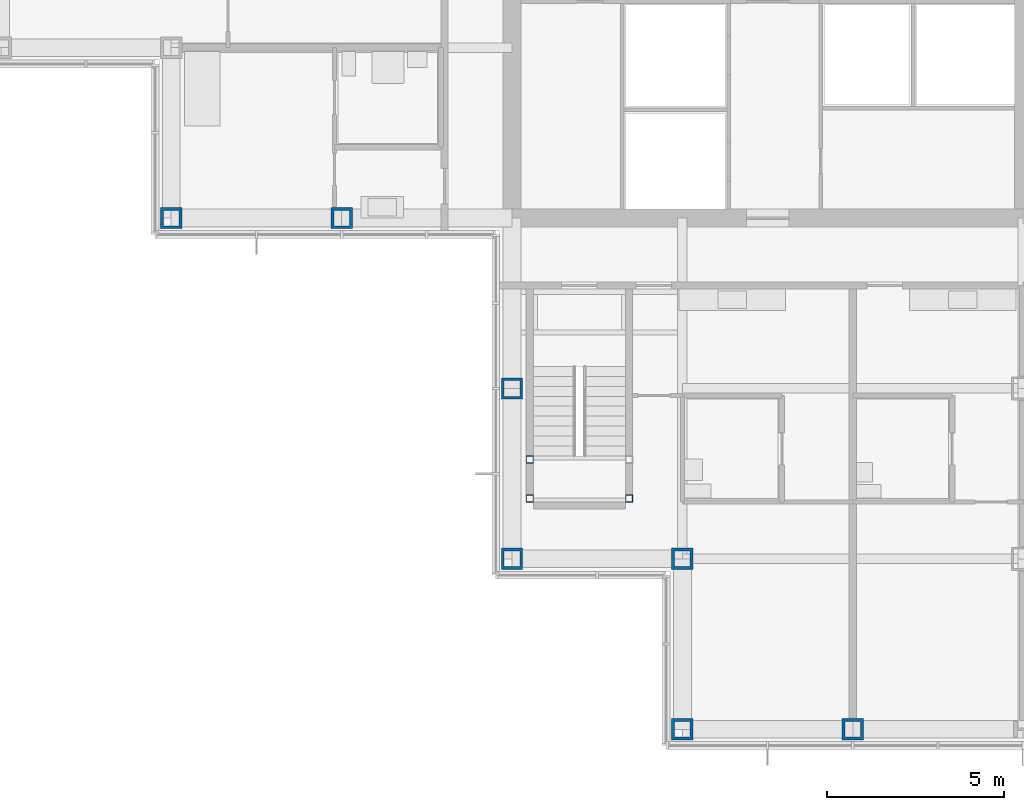
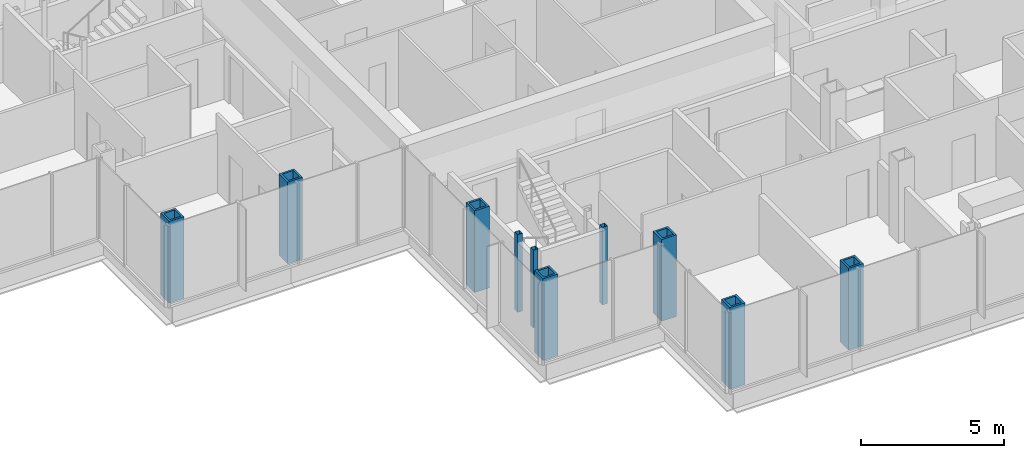
# One storey, part 1 of 20: 10 columns.
"""IFC4 building model written with IfcOpenShell, lengths in metres."""

from ifc_helpers import new_model, si_unit, direction, frame, origin, origin_2d, place, context, subcontext, project, spatial, hollow_rectangle, extrude, material, material_profile, profile_set, type_object, element, save


model = new_model("IFC4")

# Units and contexts
model_context = context("Model", 3, precision=1e-05, world=origin(), true_north=direction((0.0, 1.0)))
body_context = subcontext(model_context, "Body", "Model", "MODEL_VIEW")
ifc_project = project(units=[si_unit("LENGTHUNIT", "METRE"), si_unit("AREAUNIT", "SQUARE_METRE"), si_unit("VOLUMEUNIT", "CUBIC_METRE"), si_unit("PLANEANGLEUNIT", "RADIAN"), si_unit("MASSUNIT", "GRAM", prefix="KILO")], contexts=[model_context])

# Site, building, storey
site_placement = place(None, origin())
site = spatial("IfcSite", under=ifc_project, at=site_placement, CompositionType="ELEMENT")
building_placement = place(site_placement, origin())
building = spatial("IfcBuilding", under=site, at=building_placement, Name="Kvirike Care Tower", CompositionType="ELEMENT")
storey_placement = place(building_placement, frame((0.0, 0.0, 112.0)))
storey = spatial("IfcBuildingStorey", under=building, at=storey_placement, Name="L30", CompositionType="ELEMENT", Elevation=112.0)

# Columns
ifc_material_1 = material(Name="Steel S460", Category="steel")
ifc_material_profile_1 = material_profile(ifc_material_1, hollow_rectangle(XDim=0.60009765625, YDim=0.60009765625, WallThickness=0.080078125, at=origin_2d()), Name="BX 600x600x80")
ifc_profile_set_1 = profile_set([ifc_material_profile_1], Name="Steel S460")
column_type_1 = type_object("IfcColumnType", Name="COLUMN BX 600x600x80", PredefinedType="COLUMN", material=ifc_profile_set_1)
for number, where, z_axis, x_axis, name in (
    (1, (4.800048828125, 28.800048828125, 0.0), (0.0, 0.0, 1.0), (0.0, 1.0, 0.0), "Column G4 L30"),
    (2, (9.60009765625, 28.800048828125, 0.0), (0.0, 0.0, 1.0), (0.0, 1.0, 0.0), "Column G5 L30"),
    (3, (14.39990234375, 19.199951171875, 0.0), (0.0, 0.0, 1.0), (0.0, 1.0, 0.0), "Column E6 L30"),
    (4, (14.39990234375, 24.0, 0.0), (0.0, 0.0, 1.0), (1.0, 0.0, 0.0), "Column F6 L30"),
    (5, (19.199951171875, 14.39990234375, 0.0), (0.0, 0.0, 1.0), (0.0, 1.0, 0.0), "Column D7 L30"),
    (6, (19.199951171875, 19.199951171875, 0.0), (0.0, 0.0, 1.0), (0.0, 1.0, 0.0), "Column E7 L30"),
    (7, (24.0, 14.39990234375, 0.0), (0.0, 0.0, 1.0), (0.0, 1.0, 0.0), "Column D8 L30"),
):
    element("IfcColumn", number, at=place(storey_placement, frame(where, z_axis=z_axis, x_axis=x_axis)), inside=storey, type_object=column_type_1, Name=name, PredefinedType="COLUMN", context=body_context, shape_type="SweptSolid", body=[
        extrude(hollow_rectangle(XDim=0.60009765625, YDim=0.60009765625, WallThickness=0.080078125, at=origin_2d()), origin(), (0.0, 0.0, 1.0), 3.5),
    ])
ifc_material_2 = material(Name="Steel S460", Category="steel")
ifc_material_profile_2 = material_profile(ifc_material_2, hollow_rectangle(XDim=0.199951171875, YDim=0.199951171875, WallThickness=0.008056640625, at=origin_2d()), Name="SHS 200x200x8")
ifc_profile_set_2 = profile_set([ifc_material_profile_2], Name="Steel S460")
column_type_2 = type_object("IfcColumnType", Name="STAIR POST SHS 200x200x8", PredefinedType="COLUMN", material=ifc_profile_set_2)
for number, where, z_axis, x_axis, name in (
    (8, (14.89990234375, 20.89990234375, 0.0), (0.0, 0.0, 1.0), (1.0, 0.0, 0.0), "Stair 5 post 1 L30"),
    (9, (17.699951171875, 20.89990234375, 0.0), (0.0, 0.0, 1.0), (1.0, 0.0, 0.0), "Stair 5 post 2 L30"),
    (10, (14.89990234375, 22.0, 0.0), (0.0, 0.0, 1.0), (1.0, 0.0, 0.0), "Stair 5 post 3 L30"),
):
    element("IfcColumn", number, at=place(storey_placement, frame(where, z_axis=z_axis, x_axis=x_axis)), inside=storey, type_object=column_type_2, Name=name, PredefinedType="COLUMN", context=body_context, shape_type="SweptSolid", body=[
        extrude(hollow_rectangle(XDim=0.199951171875, YDim=0.199951171875, WallThickness=0.008056640625, at=origin_2d()), origin(), (0.0, 0.0, 1.0), 3.330078125),
    ])

save(model, "model.ifc")
